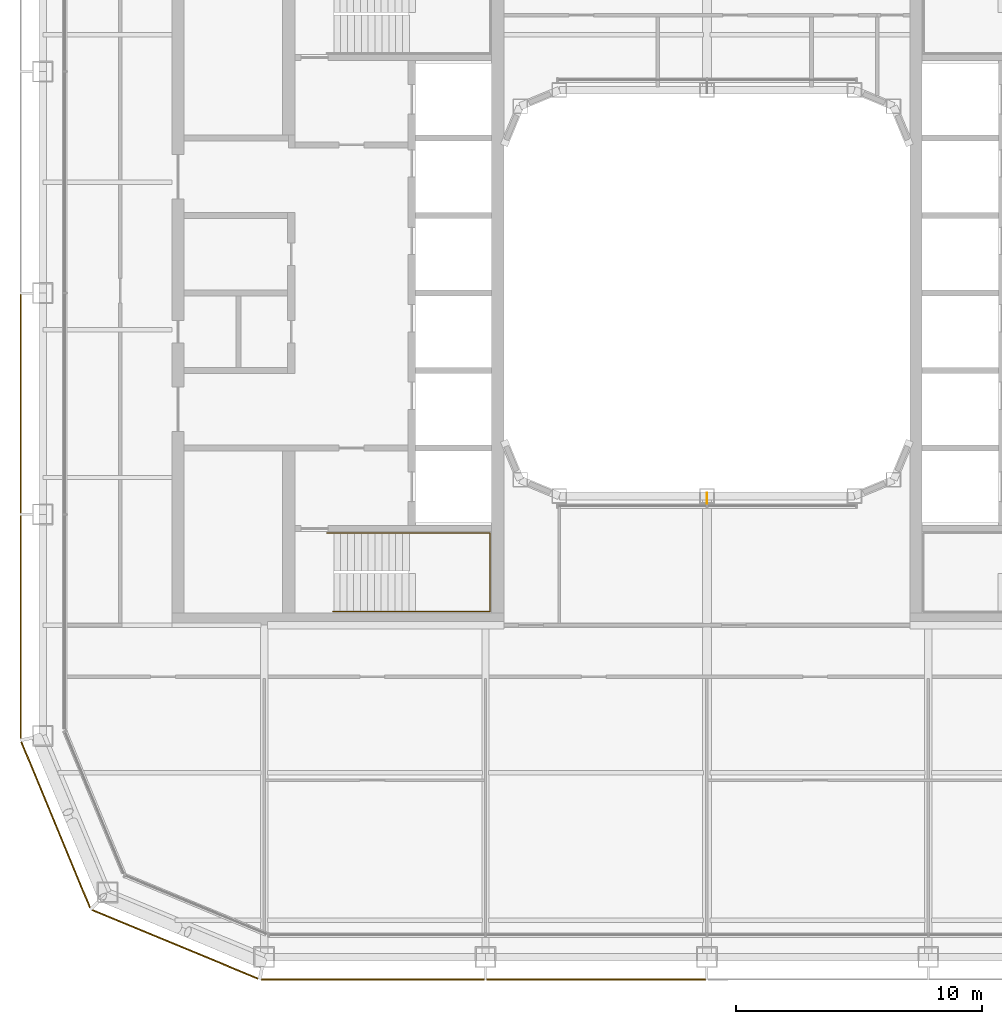
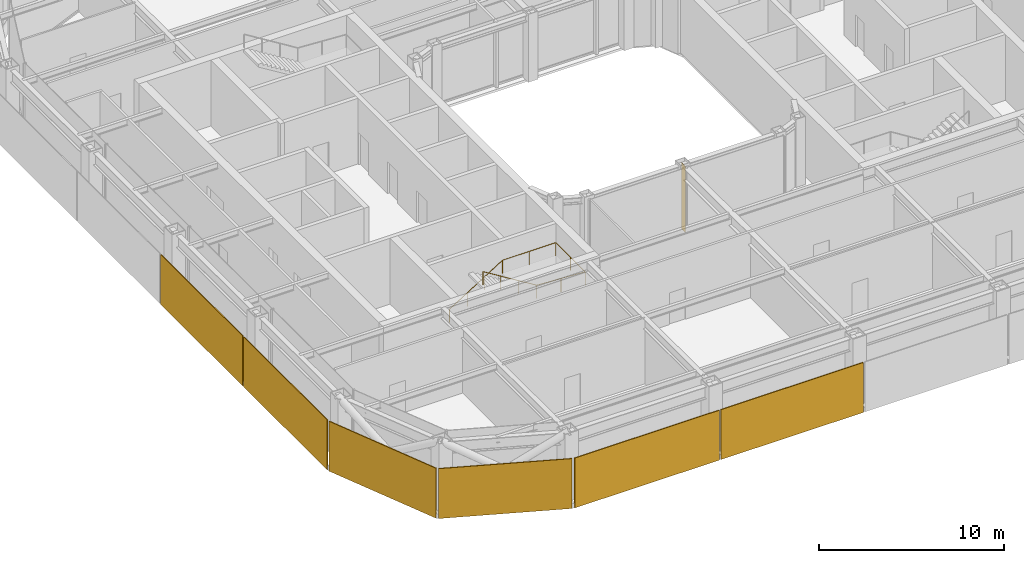
# One storey, part 16 of 19: 6 coverings, 1 railing, 1 shading device.
"""IFC4 building model written with IfcOpenShell, lengths in metres."""

import ifcopenshell
import ifcopenshell.guid

model = None  # the IFC model being written
_history = None  # IfcOwnerHistory: only IFC2X3 demands one
_inside = {}  # id of a spatial element -> (the spatial element, [elements in it])
_under = {}  # id of a project, library or spatial element -> (it, [spatial elements below it])
_declared = {}  # id of a project -> (the project, [libraries it declares])
_typed = {}  # id of a type object -> (the type object, [elements of that type])
_made_of = {}  # id of a material, layer set ... -> (it, [elements and type objects made of it])


def new_model(schema):
    """Start an empty IFC model of exactly this schema.

    Asked for "IFC4X3", IfcOpenShell would pick the latest addendum, in which some entities
    have other attributes; the version numbers below select the first issue.
    IFC2X3 requires an IfcOwnerHistory on every rooted entity: one is made here for all.
    """
    global model, _history
    if schema == "IFC4X3":
        model = ifcopenshell.file(schema_version=(4, 3, 0, 0))
    else:
        model = ifcopenshell.file(schema=schema)
    _inside.clear()
    _under.clear()
    _declared.clear()
    _typed.clear()
    _made_of.clear()
    _history = None
    if model.schema == "IFC2X3":
        org = make("IfcOrganization", Name="unknown")
        user = make(
            "IfcPersonAndOrganization",
            ThePerson=make("IfcPerson", FamilyName="unknown"),
            TheOrganization=org,
        )
        app = make(
            "IfcApplication",
            ApplicationDeveloper=org,
            Version="unknown",
            ApplicationFullName="unknown",
            ApplicationIdentifier="unknown",
        )
        _history = make(
            "IfcOwnerHistory",
            OwningUser=user,
            OwningApplication=app,
            ChangeAction="ADDED",
            CreationDate=0,
        )
    return model


def make(cls, **values):
    """One entity of the class cls with the attributes given. An attribute that is None is left unset."""
    return model.create_entity(
        cls, **{name: value for name, value in values.items() if value is not None}
    )


def rooted(cls, **values):
    """An entity with a GlobalId (a new one), such as an element, a storey or a relation."""
    return make(cls, GlobalId=ifcopenshell.guid.new(), OwnerHistory=_history, **values)


def si_unit(unit_type, name, prefix=None):
    """IfcSIUnit, for example si_unit("LENGTHUNIT", "METRE", prefix="MILLI")."""
    return make("IfcSIUnit", UnitType=unit_type, Prefix=prefix, Name=name)


def assignment(units):
    """IfcUnitAssignment: the units of a project."""
    return None if units is None else make("IfcUnitAssignment", Units=units)


def point(xyz):
    """IfcCartesianPoint."""
    return None if xyz is None else make("IfcCartesianPoint", Coordinates=xyz)


def direction(xyz):
    """IfcDirection."""
    return None if xyz is None else make("IfcDirection", DirectionRatios=xyz)


def frame(location, z_axis=None, x_axis=None):
    """IfcAxis2Placement3D, a coordinate frame: its origin and axes. An axis left out is left unset."""
    return make(
        "IfcAxis2Placement3D",
        Location=point(location),
        Axis=direction(z_axis),
        RefDirection=direction(x_axis),
    )


def frame_2d(location, x_axis=None):
    """IfcAxis2Placement2D, a coordinate frame in the plane: its origin and x axis."""
    return make(
        "IfcAxis2Placement2D", Location=point(location), RefDirection=direction(x_axis)
    )


def origin():
    """The frame at (0, 0, 0) with its axes left unset."""
    return frame((0.0, 0.0, 0.0))


def origin_2d():
    """The frame at (0, 0) in the plane with its x axis left unset."""
    return frame_2d((0.0, 0.0))


def place(relative_to, where):
    """IfcLocalPlacement: puts the frame where relative to a parent placement (None: the world)."""
    return make(
        "IfcLocalPlacement", PlacementRelTo=relative_to, RelativePlacement=where
    )


def context(
    kind, dimensions, precision=None, world=None, true_north=None, identifier=None
):
    """IfcGeometricRepresentationContext, for example the 3D "Model" context."""
    return make(
        "IfcGeometricRepresentationContext",
        ContextIdentifier=identifier,
        ContextType=kind,
        CoordinateSpaceDimension=dimensions,
        Precision=precision,
        WorldCoordinateSystem=world,
        TrueNorth=true_north,
    )


def subcontext(parent, identifier, kind, view, scale=None):
    """IfcGeometricRepresentationSubContext, for example "Body" below "Model"."""
    return make(
        "IfcGeometricRepresentationSubContext",
        ContextIdentifier=identifier,
        ContextType=kind,
        ParentContext=parent,
        TargetScale=scale,
        TargetView=view,
    )


def project(units=None, contexts=None):
    """IfcProject with its units and contexts."""
    return rooted(
        "IfcProject",
        Name="project",
        RepresentationContexts=contexts,
        UnitsInContext=assignment(units),
    )


def spatial(cls, under=None, at=None, **own):
    """A site, building, storey or space (cls), placed at a placement, below another one or the project."""
    s = rooted(cls, ObjectPlacement=at, **own)
    if under is not None:
        _under.setdefault(under.id(), (under, []))[1].append(s)
    return s


def profile(cls, at=None, kind="AREA", **sizes):
    """A parametric profile (cls). Its sizes go by their IFC names, for example OverallWidth=200.0."""
    return make(cls, ProfileType=kind, Position=at, **sizes)


def rectangle(**sizes):
    """IfcRectangleProfileDef."""
    return profile("IfcRectangleProfileDef", **sizes)


def circle(**sizes):
    """IfcCircleProfileDef."""
    return profile("IfcCircleProfileDef", **sizes)


def extrude(swept, where, along, depth):
    """IfcExtrudedAreaSolid: the profile swept, set in the frame where, extruded along a direction by depth."""
    return make(
        "IfcExtrudedAreaSolid",
        SweptArea=swept,
        Position=where,
        ExtrudedDirection=direction(along),
        Depth=depth,
    )


def shape(context_of_items, identifier, shape_type, items):
    """IfcShapeRepresentation: the items that make up one representation, for example the "Body"."""
    return make(
        "IfcShapeRepresentation",
        ContextOfItems=context_of_items,
        RepresentationIdentifier=identifier,
        RepresentationType=shape_type,
        Items=items,
    )


def material(Name=None, Category=None):
    """IfcMaterial."""
    return make("IfcMaterial", Name=Name, Category=Category)


def layer(
    of_material, thickness, ventilated=None, Name=None, Category=None, Priority=None
):
    """IfcMaterialLayer: one layer of a wall or slab, of a material (None: an air gap)."""
    return make(
        "IfcMaterialLayer",
        Material=of_material,
        LayerThickness=thickness,
        IsVentilated=ventilated,
        Name=Name,
        Category=Category,
        Priority=Priority,
    )


def layer_set(layers, Name=None):
    """IfcMaterialLayerSet."""
    return make("IfcMaterialLayerSet", MaterialLayers=layers, LayerSetName=Name)


def made_of(thing, what):
    """Note that an element or type object is made of a material, layer set ...; save() writes the relation."""
    if what is not None:
        _made_of.setdefault(what.id(), (what, []))[1].append(thing)
    return thing


def type_object(cls, material=None, **own):
    """A type object (cls), such as IfcWallType, which elements share."""
    return made_of(rooted(cls, **own), material)


def element(
    cls,
    number,
    at=None,
    inside=None,
    cuts=None,
    type_object=None,
    material=None,
    context=None,
    identifier="Body",
    shape_type=None,
    held_by="IfcProductDefinitionShape",
    body=None,
    shapes=None,
    **own,
):
    """One element of the class cls, such as IfcWall. Its Tag is "e" and its number.

    at: its placement. inside: the storey or other place that contains it. cuts: it is an
    opening in that element (IfcRelVoidsElement). A single representation is given by context,
    identifier, shape_type and body (its items); several are given by shapes. held_by: the class
    of the entity that holds the representations. save() writes the other relations.
    """
    e = rooted(cls, Tag="e%d" % number, ObjectPlacement=at, **own)
    if body is not None:
        shapes = [shape(context, identifier, shape_type, body)]
    if shapes is not None:
        e.Representation = make(held_by, Representations=shapes)
    if inside is not None:
        _inside.setdefault(inside.id(), (inside, []))[1].append(e)
    if cuts is not None:
        rooted(
            "IfcRelVoidsElement", RelatingBuildingElement=cuts, RelatedOpeningElement=e
        )
    if type_object is not None:
        _typed.setdefault(type_object.id(), (type_object, []))[1].append(e)
    return made_of(e, material)


def aggregate(whole, parts):
    """IfcRelAggregates: a whole, such as a stair, and the parts it consists of."""
    return rooted("IfcRelAggregates", RelatingObject=whole, RelatedObjects=parts)


def save(model, path):
    """Write the relations noted so far, then the file.

    IfcRelAggregates (storeys below a building ...), IfcRelContainedInSpatialStructure (elements
    in a storey), IfcRelDefinesByType, IfcRelAssociatesMaterial and IfcRelDeclares: one each for
    every whole, place, type object, material and project.
    """
    for whole, parts in _under.values():
        aggregate(whole, parts)
    for where, things in _inside.values():
        rooted(
            "IfcRelContainedInSpatialStructure",
            RelatedElements=things,
            RelatingStructure=where,
        )
    for kind, things in _typed.values():
        rooted("IfcRelDefinesByType", RelatedObjects=things, RelatingType=kind)
    for what, things in _made_of.values():
        rooted("IfcRelAssociatesMaterial", RelatedObjects=things, RelatingMaterial=what)
    for by, libraries in _declared.values():
        rooted("IfcRelDeclares", RelatingContext=by, RelatedDefinitions=libraries)
    model.write(path)


model = new_model("IFC4")

# Units and contexts
model_context = context("Model", 3, precision=1e-05, world=origin(), true_north=direction((0.0, 1.0)))
body_context = subcontext(model_context, "Body", "Model", "MODEL_VIEW")
ifc_project = project(units=[si_unit("LENGTHUNIT", "METRE"), si_unit("AREAUNIT", "SQUARE_METRE"), si_unit("VOLUMEUNIT", "CUBIC_METRE"), si_unit("PLANEANGLEUNIT", "RADIAN"), si_unit("MASSUNIT", "GRAM", prefix="KILO")], contexts=[model_context])

# Site, building, storey
site_placement = place(None, origin())
site = spatial("IfcSite", under=ifc_project, at=site_placement, CompositionType="ELEMENT")
building_placement = place(site_placement, origin())
building = spatial("IfcBuilding", under=site, at=building_placement, Name="Siwar Civic Tower", CompositionType="ELEMENT")
storey_placement = place(building_placement, frame((0.0, 0.0, 192.699951171875)))
storey = spatial("IfcBuildingStorey", under=building, at=storey_placement, Name="L41", CompositionType="ELEMENT", Elevation=192.699951171875)

# Railing
ifc_material_1 = material(Name="Stainless steel", Category="steel")
railing_type = type_object("IfcRailingType", Name="CORE-STAIR-HANDRAIL", PredefinedType="HANDRAIL", material=ifc_material_1)
railing_placement = place(storey_placement, frame((-15.449951171875, -9.758056640625, 0.173095703125)))
element("IfcRailing", 1, at=railing_placement, inside=storey, type_object=railing_type, Name="Stair handrail ST2", PredefinedType="HANDRAIL", context=body_context, shape_type="SweptSolid", body=[
    extrude(circle(Radius=0.02001953125, at=origin_2d()), frame((0.0, 0.0, 0.8798828125), z_axis=(0.847063342986, 0.0, 0.531491950051), x_axis=(0.0, 1.0, 0.0)), (0.0, 0.0, 1.0), 3.90771484375),
    extrude(circle(Radius=0.02001953125, at=origin_2d()), frame((3.31005859375, 0.0, 2.956787109375), z_axis=(1.0, 0.0, 0.0), x_axis=(0.0, 1.0, 0.0)), (0.0, 0.0, 1.0), 3.331787109375),
    extrude(circle(Radius=0.02001953125, at=origin_2d()), frame((6.641845703125, 0.0, 2.956787109375), z_axis=(0.0, -1.0, 0.0), x_axis=(1.0, 0.0, 0.0)), (0.0, 0.0, 1.0), 3.183837890625),
    extrude(circle(Radius=0.02001953125, at=origin_2d()), frame((6.641845703125, -3.183837890625, 2.956787109375), z_axis=(-0.99837434197, 0.0, 0.056997134106), x_axis=(0.0, -1.0, 0.0)), (0.0, 0.0, 1.0), 3.036865234375),
    extrude(circle(Radius=0.02001953125, at=origin_2d()), frame((3.60986328125, -3.183837890625, 3.1298828125), z_axis=(-0.850606129759, 0.0, 0.525803396734), x_axis=(0.0, -1.0, 0.0)), (0.0, 0.0, 1.0), 3.949951171875),
    extrude(circle(Radius=0.02001953125, at=origin_2d()), origin(), (0.0, 0.0, 1.0), 0.85986328125),
    extrude(circle(Radius=0.02001953125, at=origin_2d()), frame((1.103271484375, 0.0, 0.6923828125)), (0.0, 0.0, 1.0), 0.85986328125),
    extrude(circle(Radius=0.02001953125, at=origin_2d()), frame((2.206787109375, 0.0, 1.384521484375)), (0.0, 0.0, 1.0), 0.85986328125),
    extrude(circle(Radius=0.02001953125, at=origin_2d()), frame((3.31005859375, 0.0, 2.076904296875)), (0.0, 0.0, 1.0), 0.85986328125),
    extrude(circle(Radius=0.02001953125, at=origin_2d()), frame((4.97607421875, 0.0, 2.076904296875)), (0.0, 0.0, 1.0), 0.85986328125),
    extrude(circle(Radius=0.02001953125, at=origin_2d()), frame((6.641845703125, 0.0, 2.076904296875)), (0.0, 0.0, 1.0), 0.85986328125),
    extrude(circle(Radius=0.02001953125, at=origin_2d()), frame((6.641845703125, -1.591796875, 2.076904296875)), (0.0, 0.0, 1.0), 0.85986328125),
    extrude(circle(Radius=0.02001953125, at=origin_2d()), frame((6.641845703125, -3.183837890625, 2.076904296875)), (0.0, 0.0, 1.0), 0.85986328125),
    extrude(circle(Radius=0.02001953125, at=origin_2d()), frame((5.1259765625, -3.183837890625, 2.16357421875)), (0.0, 0.0, 1.0), 0.85986328125),
    extrude(circle(Radius=0.02001953125, at=origin_2d()), frame((3.60986328125, -3.183837890625, 2.25)), (0.0, 0.0, 1.0), 0.85986328125),
    extrude(circle(Radius=0.02001953125, at=origin_2d()), frame((2.489990234375, -3.183837890625, 2.9423828125)), (0.0, 0.0, 1.0), 0.85986328125),
    extrude(circle(Radius=0.02001953125, at=origin_2d()), frame((1.369873046875, -3.183837890625, 3.634521484375)), (0.0, 0.0, 1.0), 0.85986328125),
    extrude(circle(Radius=0.02001953125, at=origin_2d()), frame((0.25, -3.183837890625, 4.326904296875)), (0.0, 0.0, 1.0), 0.85986328125),
])

# Shading device
ifc_material_2 = material(Name="Aluminium 6063-T6", Category="aluminium")
ifc_layer_1 = layer(ifc_material_2, 0.02001953125)
ifc_layer_set_1 = layer_set([ifc_layer_1], Name="Aluminium 6063-T6")
shading_device_type = type_object("IfcShadingDeviceType", Name="ENV-FIN", PredefinedType="JALOUSIE", material=ifc_layer_set_1)
shading_device_placement = place(storey_placement, frame((0.0, -8.344970703125, 0.0), z_axis=(0.0, 0.0, 1.0), x_axis=(1.0, 0.0, 0.0)))
element("IfcShadingDevice", 2, at=shading_device_placement, inside=storey, type_object=shading_device_type, Name="SUNSHADE fin WS 1", PredefinedType="JALOUSIE", context=body_context, shape_type="SweptSolid", body=[
    extrude(rectangle(XDim=0.02001953125, YDim=0.449951171875, at=origin_2d()), origin(), (0.0, 0.0, 1.0), 4.35009765625),
])

# Coverings
ifc_material_3 = material(Name="Perforated aluminium cassette, pale metal", Category="aluminium")
ifc_layer_2 = layer(ifc_material_3, 0.050048828125)
ifc_layer_set_2 = layer_set([ifc_layer_2], Name="Perforated aluminium cassette, pale metal")
covering_type_1 = type_object("IfcCoveringType", Name="ENV-OUTER SKIN OS-3", PredefinedType="CLADDING", material=ifc_layer_set_2)
covering_1_placement = place(storey_placement, frame((-27.89990234375, -4.5, -0.14990234375), z_axis=(0.0, 0.0, 1.0), x_axis=(0.0, -1.0, 0.0)))
element("IfcCovering", 3, at=covering_1_placement, inside=storey, type_object=covering_type_1, Name="OUTER SKIN OS-3 W 3", PredefinedType="CLADDING", context=body_context, shape_type="SweptSolid", body=[
    extrude(rectangle(XDim=8.89990234375, YDim=0.050048828125, at=origin_2d()), origin(), (0.0, 0.0, 1.0), 3.300048828125),
])
covering_2_placement = place(storey_placement, frame((-27.89990234375, -13.57958984375, -0.14990234375), z_axis=(0.0, 0.0, 1.0), x_axis=(0.0, -1.0, 0.0)))
element("IfcCovering", 4, at=covering_2_placement, inside=storey, type_object=covering_type_1, Name="OUTER SKIN OS-3 W 4", PredefinedType="CLADDING", context=body_context, shape_type="SweptSolid", body=[
    extrude(rectangle(XDim=9.05908203125, YDim=0.050048828125, at=origin_2d()), origin(), (0.0, 0.0, 1.0), 3.300048828125),
])
ifc_material_4 = material(Name="Perforated aluminium cassette, pale metal", Category="aluminium")
ifc_layer_3 = layer(ifc_material_4, 0.054931640625)
ifc_layer_set_3 = layer_set([ifc_layer_3], Name="Perforated aluminium cassette, pale metal")
covering_type_2 = type_object("IfcCoveringType", Name="ENV-OUTER SKIN OS-4", PredefinedType="CLADDING", material=ifc_layer_set_3)
covering_3_placement = place(storey_placement, frame((-13.57958984375, -27.89990234375, -0.14990234375), z_axis=(0.0, 0.0, 1.0), x_axis=(1.0, 0.0, 0.0)))
element("IfcCovering", 5, at=covering_3_placement, inside=storey, type_object=covering_type_2, Name="OUTER SKIN OS-4 S 1", PredefinedType="CLADDING", context=body_context, shape_type="SweptSolid", body=[
    extrude(rectangle(XDim=9.05908203125, YDim=0.054931640625, at=origin_2d()), origin(), (0.0, 0.0, 1.0), 3.300048828125),
])
covering_4_placement = place(storey_placement, frame((-4.5, -27.89990234375, -0.14990234375), z_axis=(0.0, 0.0, 1.0), x_axis=(1.0, 0.0, 0.0)))
element("IfcCovering", 6, at=covering_4_placement, inside=storey, type_object=covering_type_2, Name="OUTER SKIN OS-4 S 2", PredefinedType="CLADDING", context=body_context, shape_type="SweptSolid", body=[
    extrude(rectangle(XDim=8.89990234375, YDim=0.054931640625, at=origin_2d()), origin(), (0.0, 0.0, 1.0), 3.300048828125),
])
for number, where, z_axis, x_axis, name in (
    (7, (-26.476318359375, -21.615966796875, -0.14990234375), (0.0, 0.0, 1.0), (0.382683432365, -0.923879532511, 0.0), "OUTER SKIN OS-4 SW1 1"),
    (8, (-21.615966796875, -26.476318359375, -0.14990234375), (0.0, 0.0, 1.0), (0.923879532511, -0.382683432365, 0.0), "OUTER SKIN OS-4 SW2 1"),
):
    element("IfcCovering", number, at=place(storey_placement, frame(where, z_axis=z_axis, x_axis=x_axis)), inside=storey, type_object=covering_type_2, Name=name, PredefinedType="CLADDING", context=body_context, shape_type="SweptSolid", body=[
        extrude(rectangle(XDim=7.300048828125, YDim=0.054931640625, at=origin_2d()), origin(), (0.0, 0.0, 1.0), 3.300048828125),
    ])

save(model, "model.ifc")
